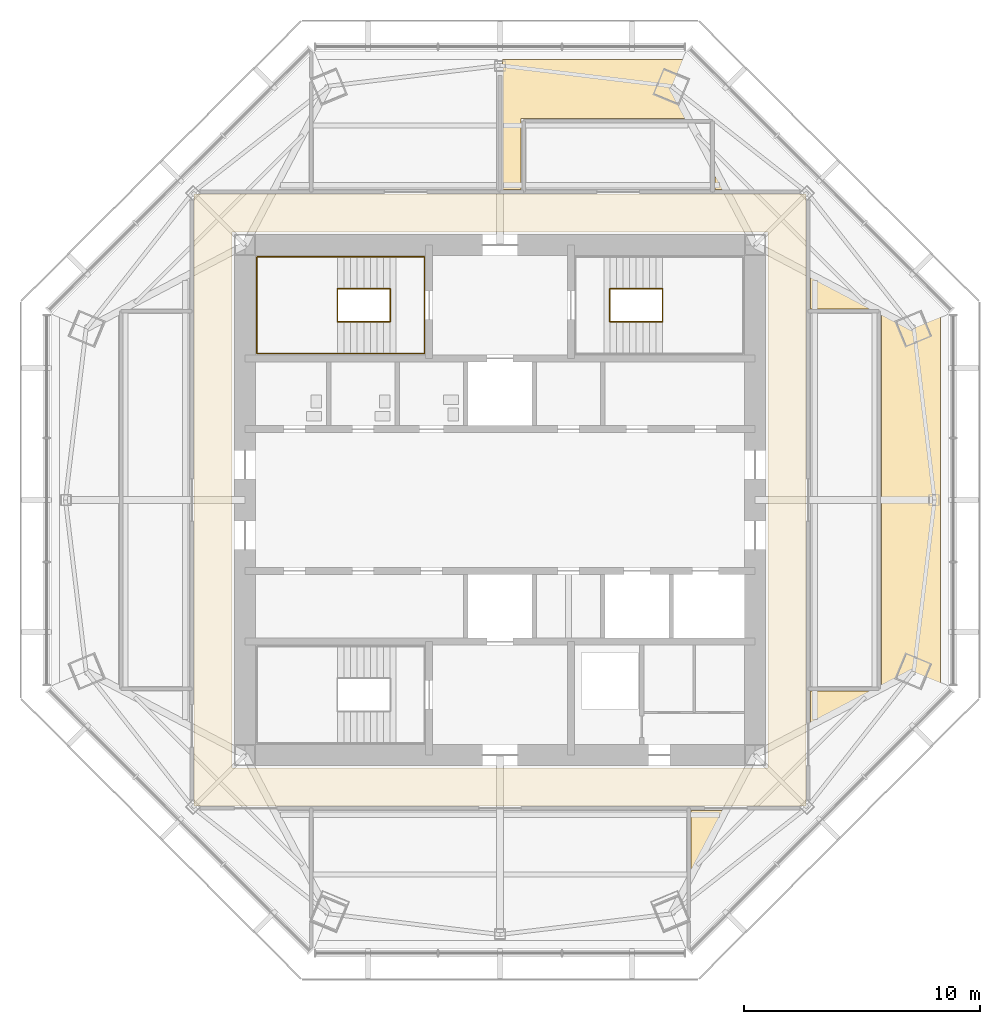
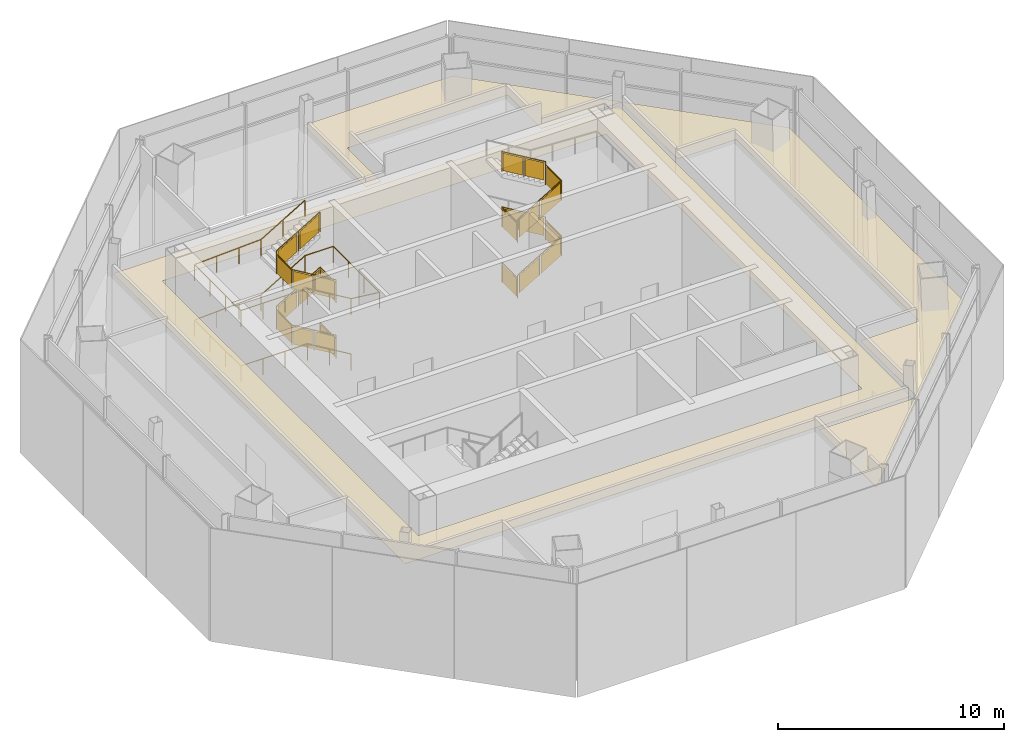
# One storey, part 9 of 11: 3 railings, 2 coverings.
"""IFC4 building model written with IfcOpenShell, lengths in metres."""

from ifc_helpers import new_model, si_unit, direction, frame, origin, origin_2d, place, context, subcontext, project, spatial, polyline, circle, outline, extrude, material, layer, layer_set, type_object, element, save


model = new_model("IFC4")

# Units and contexts
model_context = context("Model", 3, precision=1e-05, world=origin(), true_north=direction((0.0, 1.0)))
body_context = subcontext(model_context, "Body", "Model", "MODEL_VIEW")
ifc_project = project(units=[si_unit("LENGTHUNIT", "METRE"), si_unit("AREAUNIT", "SQUARE_METRE"), si_unit("VOLUMEUNIT", "CUBIC_METRE"), si_unit("PLANEANGLEUNIT", "RADIAN"), si_unit("MASSUNIT", "GRAM", prefix="KILO")], contexts=[model_context])

# Site, building, storey
site_placement = place(None, origin())
site = spatial("IfcSite", under=ifc_project, at=site_placement, CompositionType="ELEMENT")
building_placement = place(site_placement, origin())
building = spatial("IfcBuilding", under=site, at=building_placement, Name="Mashrafa Tower", CompositionType="ELEMENT")
storey_placement = place(building_placement, frame((0.0, 0.0, 311.60009765625)))
storey = spatial("IfcBuildingStorey", under=building, at=storey_placement, Name="L77", CompositionType="ELEMENT", Elevation=311.60009765625)

# Railings
ifc_material_1 = material(Name="Steel guard with glass infill", Category="steel")
railing_type_1 = type_object("IfcRailingType", Name="Stair guard 1100", PredefinedType="GUARDRAIL", material=ifc_material_1)
railing_1_placement = place(storey_placement, frame((-4.64990234375, 8.949951171875, 0.0)))
element("IfcRailing", 1, at=railing_1_placement, inside=storey, type_object=railing_type_1, Name="Stair S1 guard L77", PredefinedType="GUARDRAIL", context=body_context, shape_type="SweptSolid", body=[
    extrude(circle(Radius=0.02392578125, at=origin_2d()), frame((0.0, 0.0, 1.076171875), z_axis=(0.0, -1.0, 0.0), x_axis=(1.0, 0.0, 0.0)), (0.0, 0.0, 1.0), 1.39990234375),
    extrude(circle(Radius=0.02392578125, at=origin_2d()), frame((0.0, -1.39990234375, 1.076171875), z_axis=(0.0, 0.0, 1.0), x_axis=(1.0, 0.0, 0.0)), (0.0, 0.0, 1.0), 0.16650390625),
    extrude(circle(Radius=0.02392578125, at=origin_2d()), frame((0.0, -1.39990234375, 1.24267578125), z_axis=(-0.859264461869, 0.0, 0.511531606619), x_axis=(0.0, -1.0, 0.0)), (0.0, 0.0, 1.0), 2.60693359375),
    extrude(circle(Radius=0.02392578125, at=origin_2d()), frame((-2.239990234375, -1.39990234375, 2.576171875), z_axis=(0.0, 1.0, 0.0), x_axis=(-1.0, 0.0, 0.0)), (0.0, 0.0, 1.0), 1.39990234375),
    extrude(circle(Radius=0.02392578125, at=origin_2d()), frame((-2.239990234375, 0.0, 2.576171875), z_axis=(0.0, 0.0, 1.0), x_axis=(1.0, 0.0, 0.0)), (0.0, 0.0, 1.0), 0.16650390625),
    extrude(circle(Radius=0.02392578125, at=origin_2d()), frame((-2.239990234375, 0.0, 2.74267578125), z_axis=(0.859264461869, 0.0, 0.511531606619), x_axis=(0.0, 1.0, 0.0)), (0.0, 0.0, 1.0), 2.60693359375),
    extrude(circle(Radius=0.02392578125, at=origin_2d()), frame((0.0, 0.0, 4.076171875), z_axis=(0.0, -1.0, 0.0), x_axis=(1.0, 0.0, 0.0)), (0.0, 0.0, 1.0), 1.39990234375),
    extrude(circle(Radius=0.02392578125, at=origin_2d()), frame((0.0, -1.39990234375, 4.076171875), z_axis=(0.0, 0.0, 1.0), x_axis=(1.0, 0.0, 0.0)), (0.0, 0.0, 1.0), 0.16650390625),
    extrude(circle(Radius=0.02392578125, at=origin_2d()), frame((0.0, -1.39990234375, 4.24267578125), z_axis=(-0.859264461869, 0.0, 0.511531606619), x_axis=(0.0, -1.0, 0.0)), (0.0, 0.0, 1.0), 2.60693359375),
    extrude(circle(Radius=0.02392578125, at=origin_2d()), frame((-2.239990234375, -1.39990234375, 5.576171875), z_axis=(0.0, 1.0, 0.0), x_axis=(-1.0, 0.0, 0.0)), (0.0, 0.0, 1.0), 1.39990234375),
    extrude(circle(Radius=0.02392578125, at=origin_2d()), frame((-2.239990234375, 0.0, 5.576171875), z_axis=(0.0, 0.0, 1.0), x_axis=(1.0, 0.0, 0.0)), (0.0, 0.0, 1.0), 0.16650390625),
    extrude(circle(Radius=0.02392578125, at=origin_2d()), frame((-2.239990234375, 0.0, 5.74267578125), z_axis=(0.859264461869, 0.0, 0.511531606619), x_axis=(0.0, 1.0, 0.0)), (0.0, 0.0, 1.0), 2.60693359375),
    extrude(circle(Radius=0.02099609375, at=origin_2d()), origin(), (0.0, 0.0, 1.0), 1.052001953125),
    extrude(circle(Radius=0.02099609375, at=origin_2d()), frame((0.0, -1.39990234375, 0.0)), (0.0, 0.0, 1.0), 1.052001953125),
    extrude(circle(Radius=0.02099609375, at=origin_2d()), frame((0.0, -1.39990234375, 0.16650390625)), (0.0, 0.0, 1.0), 1.052001953125),
    extrude(circle(Radius=0.02099609375, at=origin_2d()), frame((-1.1201171875, -1.39990234375, 0.833251953125)), (0.0, 0.0, 1.0), 1.052001953125),
    extrude(circle(Radius=0.02099609375, at=origin_2d()), frame((-2.239990234375, -1.39990234375, 1.5)), (0.0, 0.0, 1.0), 1.052001953125),
    extrude(circle(Radius=0.02099609375, at=origin_2d()), frame((-2.239990234375, 0.0, 1.5)), (0.0, 0.0, 1.0), 1.052001953125),
    extrude(circle(Radius=0.02099609375, at=origin_2d()), frame((-2.239990234375, 0.0, 1.66650390625)), (0.0, 0.0, 1.0), 1.052001953125),
    extrude(circle(Radius=0.02099609375, at=origin_2d()), frame((-1.1201171875, 0.0, 2.333251953125)), (0.0, 0.0, 1.0), 1.052001953125),
    extrude(circle(Radius=0.02099609375, at=origin_2d()), frame((0.0, 0.0, 3.0)), (0.0, 0.0, 1.0), 1.052001953125),
    extrude(circle(Radius=0.02099609375, at=origin_2d()), frame((0.0, -1.39990234375, 3.0)), (0.0, 0.0, 1.0), 1.052001953125),
    extrude(circle(Radius=0.02099609375, at=origin_2d()), frame((0.0, -1.39990234375, 3.16650390625)), (0.0, 0.0, 1.0), 1.052001953125),
    extrude(circle(Radius=0.02099609375, at=origin_2d()), frame((-1.1201171875, -1.39990234375, 3.833251953125)), (0.0, 0.0, 1.0), 1.052001953125),
    extrude(circle(Radius=0.02099609375, at=origin_2d()), frame((-2.239990234375, -1.39990234375, 4.5)), (0.0, 0.0, 1.0), 1.052001953125),
    extrude(circle(Radius=0.02099609375, at=origin_2d()), frame((-2.239990234375, 0.0, 4.5)), (0.0, 0.0, 1.0), 1.052001953125),
    extrude(circle(Radius=0.02099609375, at=origin_2d()), frame((-2.239990234375, 0.0, 4.66650390625)), (0.0, 0.0, 1.0), 1.052001953125),
    extrude(circle(Radius=0.02099609375, at=origin_2d()), frame((-1.1201171875, 0.0, 5.333251953125)), (0.0, 0.0, 1.0), 1.052001953125),
    extrude(circle(Radius=0.02099609375, at=origin_2d()), frame((0.0, 0.0, 6.0)), (0.0, 0.0, 1.0), 1.052001953125),
    extrude(outline(polyline([(0.071044921875, 0.050048828125), (1.328857421875, 0.050048828125), (1.328857421875, 1.001953125), (0.071044921875, 1.001953125), (0.071044921875, 0.050048828125)])), frame((-0.006103515625, 0.0, 0.0), z_axis=(-1.0, 0.0, 0.0), x_axis=(0.0, -1.0, 0.0)), (0.0, 0.0, 1.0), 0.011962890625),
    extrude(outline(polyline([(0.071044921875, 0.09228515625), (1.049072265625, 0.674560546875), (1.049072265625, 1.62646484375), (0.071044921875, 1.044189453125), (0.071044921875, 0.09228515625)])), frame((0.0, -1.393798828125, 0.16650390625), z_axis=(0.0, 1.0, 0.0), x_axis=(-1.0, 0.0, 0.0)), (0.0, 0.0, 1.0), 0.011962890625),
    extrude(outline(polyline([(1.19091796875, 0.759033203125), (2.1689453125, 1.34130859375), (2.1689453125, 2.293212890625), (1.19091796875, 1.7109375), (1.19091796875, 0.759033203125)])), frame((0.0, -1.393798828125, 0.16650390625), z_axis=(0.0, 1.0, 0.0), x_axis=(-1.0, 0.0, 0.0)), (0.0, 0.0, 1.0), 0.011962890625),
    extrude(outline(polyline([(0.071044921875, 0.050048828125), (1.328857421875, 0.050048828125), (1.328857421875, 1.001953125), (0.071044921875, 1.001953125), (0.071044921875, 0.050048828125)])), frame((-2.23388671875, -1.39990234375, 1.5), z_axis=(1.0, 0.0, 0.0), x_axis=(0.0, 1.0, 0.0)), (0.0, 0.0, 1.0), 0.011962890625),
    extrude(outline(polyline([(0.071044921875, 0.09228515625), (1.049072265625, 0.674560546875), (1.049072265625, 1.62646484375), (0.071044921875, 1.044189453125), (0.071044921875, 0.09228515625)])), frame((-2.239990234375, -0.006103515625, 1.66650390625), z_axis=(0.0, -1.0, 0.0), x_axis=(1.0, 0.0, 0.0)), (0.0, 0.0, 1.0), 0.011962890625),
    extrude(outline(polyline([(1.19091796875, 0.759033203125), (2.1689453125, 1.34130859375), (2.1689453125, 2.293212890625), (1.19091796875, 1.7109375), (1.19091796875, 0.759033203125)])), frame((-2.239990234375, -0.006103515625, 1.66650390625), z_axis=(0.0, -1.0, 0.0), x_axis=(1.0, 0.0, 0.0)), (0.0, 0.0, 1.0), 0.011962890625),
    extrude(outline(polyline([(0.071044921875, 0.050048828125), (1.328857421875, 0.050048828125), (1.328857421875, 1.001953125), (0.071044921875, 1.001953125), (0.071044921875, 0.050048828125)])), frame((-0.006103515625, 0.0, 3.0), z_axis=(-1.0, 0.0, 0.0), x_axis=(0.0, -1.0, 0.0)), (0.0, 0.0, 1.0), 0.011962890625),
    extrude(outline(polyline([(0.071044921875, 0.09228515625), (1.049072265625, 0.674560546875), (1.049072265625, 1.62646484375), (0.071044921875, 1.044189453125), (0.071044921875, 0.09228515625)])), frame((0.0, -1.393798828125, 3.16650390625), z_axis=(0.0, 1.0, 0.0), x_axis=(-1.0, 0.0, 0.0)), (0.0, 0.0, 1.0), 0.011962890625),
    extrude(outline(polyline([(1.19091796875, 0.759033203125), (2.1689453125, 1.34130859375), (2.1689453125, 2.293212890625), (1.19091796875, 1.7109375), (1.19091796875, 0.759033203125)])), frame((0.0, -1.393798828125, 3.16650390625), z_axis=(0.0, 1.0, 0.0), x_axis=(-1.0, 0.0, 0.0)), (0.0, 0.0, 1.0), 0.011962890625),
    extrude(outline(polyline([(0.071044921875, 0.050048828125), (1.328857421875, 0.050048828125), (1.328857421875, 1.001953125), (0.071044921875, 1.001953125), (0.071044921875, 0.050048828125)])), frame((-2.23388671875, -1.39990234375, 4.5), z_axis=(1.0, 0.0, 0.0), x_axis=(0.0, 1.0, 0.0)), (0.0, 0.0, 1.0), 0.011962890625),
    extrude(outline(polyline([(0.071044921875, 0.09228515625), (1.049072265625, 0.674560546875), (1.049072265625, 1.62646484375), (0.071044921875, 1.044189453125), (0.071044921875, 0.09228515625)])), frame((-2.239990234375, -0.006103515625, 4.66650390625), z_axis=(0.0, -1.0, 0.0), x_axis=(1.0, 0.0, 0.0)), (0.0, 0.0, 1.0), 0.011962890625),
    extrude(outline(polyline([(1.19091796875, 0.759033203125), (2.1689453125, 1.34130859375), (2.1689453125, 2.293212890625), (1.19091796875, 1.7109375), (1.19091796875, 0.759033203125)])), frame((-2.239990234375, -0.006103515625, 4.66650390625), z_axis=(0.0, -1.0, 0.0), x_axis=(1.0, 0.0, 0.0)), (0.0, 0.0, 1.0), 0.011962890625),
])
railing_2_placement = place(storey_placement, frame((4.64990234375, 8.949951171875, 0.0)))
element("IfcRailing", 2, at=railing_2_placement, inside=storey, type_object=railing_type_1, Name="Stair S2 guard L77", PredefinedType="GUARDRAIL", context=body_context, shape_type="SweptSolid", body=[
    extrude(circle(Radius=0.02392578125, at=origin_2d()), frame((0.0, 0.0, 1.076171875), z_axis=(0.0, -1.0, 0.0), x_axis=(1.0, 0.0, 0.0)), (0.0, 0.0, 1.0), 1.39990234375),
    extrude(circle(Radius=0.02392578125, at=origin_2d()), frame((0.0, -1.39990234375, 1.076171875), z_axis=(0.0, 0.0, 1.0), x_axis=(1.0, 0.0, 0.0)), (0.0, 0.0, 1.0), 0.16650390625),
    extrude(circle(Radius=0.02392578125, at=origin_2d()), frame((0.0, -1.39990234375, 1.24267578125), z_axis=(0.859264461869, 0.0, 0.511531606619), x_axis=(0.0, 1.0, 0.0)), (0.0, 0.0, 1.0), 2.60693359375),
    extrude(circle(Radius=0.02392578125, at=origin_2d()), frame((2.239990234375, -1.39990234375, 2.576171875), z_axis=(0.0, 1.0, 0.0), x_axis=(-1.0, 0.0, 0.0)), (0.0, 0.0, 1.0), 1.39990234375),
    extrude(circle(Radius=0.02392578125, at=origin_2d()), frame((2.239990234375, 0.0, 2.576171875), z_axis=(0.0, 0.0, 1.0), x_axis=(1.0, 0.0, 0.0)), (0.0, 0.0, 1.0), 0.16650390625),
    extrude(circle(Radius=0.02392578125, at=origin_2d()), frame((2.239990234375, 0.0, 2.74267578125), z_axis=(-0.859264461869, 0.0, 0.511531606619), x_axis=(0.0, -1.0, 0.0)), (0.0, 0.0, 1.0), 2.60693359375),
    extrude(circle(Radius=0.02392578125, at=origin_2d()), frame((0.0, 0.0, 4.076171875), z_axis=(0.0, -1.0, 0.0), x_axis=(1.0, 0.0, 0.0)), (0.0, 0.0, 1.0), 1.39990234375),
    extrude(circle(Radius=0.02392578125, at=origin_2d()), frame((0.0, -1.39990234375, 4.076171875), z_axis=(0.0, 0.0, 1.0), x_axis=(1.0, 0.0, 0.0)), (0.0, 0.0, 1.0), 0.16650390625),
    extrude(circle(Radius=0.02392578125, at=origin_2d()), frame((0.0, -1.39990234375, 4.24267578125), z_axis=(0.859264461869, 0.0, 0.511531606619), x_axis=(0.0, 1.0, 0.0)), (0.0, 0.0, 1.0), 2.60693359375),
    extrude(circle(Radius=0.02392578125, at=origin_2d()), frame((2.239990234375, -1.39990234375, 5.576171875), z_axis=(0.0, 1.0, 0.0), x_axis=(-1.0, 0.0, 0.0)), (0.0, 0.0, 1.0), 1.39990234375),
    extrude(circle(Radius=0.02392578125, at=origin_2d()), frame((2.239990234375, 0.0, 5.576171875), z_axis=(0.0, 0.0, 1.0), x_axis=(1.0, 0.0, 0.0)), (0.0, 0.0, 1.0), 0.16650390625),
    extrude(circle(Radius=0.02392578125, at=origin_2d()), frame((2.239990234375, 0.0, 5.74267578125), z_axis=(-0.859264461869, 0.0, 0.511531606619), x_axis=(0.0, -1.0, 0.0)), (0.0, 0.0, 1.0), 2.60693359375),
    extrude(circle(Radius=0.02099609375, at=origin_2d()), origin(), (0.0, 0.0, 1.0), 1.052001953125),
    extrude(circle(Radius=0.02099609375, at=origin_2d()), frame((0.0, -1.39990234375, 0.0)), (0.0, 0.0, 1.0), 1.052001953125),
    extrude(circle(Radius=0.02099609375, at=origin_2d()), frame((0.0, -1.39990234375, 0.16650390625)), (0.0, 0.0, 1.0), 1.052001953125),
    extrude(circle(Radius=0.02099609375, at=origin_2d()), frame((1.1201171875, -1.39990234375, 0.833251953125)), (0.0, 0.0, 1.0), 1.052001953125),
    extrude(circle(Radius=0.02099609375, at=origin_2d()), frame((2.239990234375, -1.39990234375, 1.5)), (0.0, 0.0, 1.0), 1.052001953125),
    extrude(circle(Radius=0.02099609375, at=origin_2d()), frame((2.239990234375, 0.0, 1.5)), (0.0, 0.0, 1.0), 1.052001953125),
    extrude(circle(Radius=0.02099609375, at=origin_2d()), frame((2.239990234375, 0.0, 1.66650390625)), (0.0, 0.0, 1.0), 1.052001953125),
    extrude(circle(Radius=0.02099609375, at=origin_2d()), frame((1.1201171875, 0.0, 2.333251953125)), (0.0, 0.0, 1.0), 1.052001953125),
    extrude(circle(Radius=0.02099609375, at=origin_2d()), frame((0.0, 0.0, 3.0)), (0.0, 0.0, 1.0), 1.052001953125),
    extrude(circle(Radius=0.02099609375, at=origin_2d()), frame((0.0, -1.39990234375, 3.0)), (0.0, 0.0, 1.0), 1.052001953125),
    extrude(circle(Radius=0.02099609375, at=origin_2d()), frame((0.0, -1.39990234375, 3.16650390625)), (0.0, 0.0, 1.0), 1.052001953125),
    extrude(circle(Radius=0.02099609375, at=origin_2d()), frame((1.1201171875, -1.39990234375, 3.833251953125)), (0.0, 0.0, 1.0), 1.052001953125),
    extrude(circle(Radius=0.02099609375, at=origin_2d()), frame((2.239990234375, -1.39990234375, 4.5)), (0.0, 0.0, 1.0), 1.052001953125),
    extrude(circle(Radius=0.02099609375, at=origin_2d()), frame((2.239990234375, 0.0, 4.5)), (0.0, 0.0, 1.0), 1.052001953125),
    extrude(circle(Radius=0.02099609375, at=origin_2d()), frame((2.239990234375, 0.0, 4.66650390625)), (0.0, 0.0, 1.0), 1.052001953125),
    extrude(circle(Radius=0.02099609375, at=origin_2d()), frame((1.1201171875, 0.0, 5.333251953125)), (0.0, 0.0, 1.0), 1.052001953125),
    extrude(circle(Radius=0.02099609375, at=origin_2d()), frame((0.0, 0.0, 6.0)), (0.0, 0.0, 1.0), 1.052001953125),
    extrude(outline(polyline([(0.071044921875, 0.050048828125), (1.328857421875, 0.050048828125), (1.328857421875, 1.001953125), (0.071044921875, 1.001953125), (0.071044921875, 0.050048828125)])), frame((-0.006103515625, 0.0, 0.0), z_axis=(-1.0, 0.0, 0.0), x_axis=(0.0, -1.0, 0.0)), (0.0, 0.0, 1.0), 0.011962890625),
    extrude(outline(polyline([(0.071044921875, 0.09228515625), (1.049072265625, 0.674560546875), (1.049072265625, 1.62646484375), (0.071044921875, 1.044189453125), (0.071044921875, 0.09228515625)])), frame((0.0, -1.406005859375, 0.16650390625), z_axis=(0.0, -1.0, 0.0), x_axis=(1.0, 0.0, 0.0)), (0.0, 0.0, 1.0), 0.011962890625),
    extrude(outline(polyline([(1.19091796875, 0.759033203125), (2.1689453125, 1.34130859375), (2.1689453125, 2.293212890625), (1.19091796875, 1.7109375), (1.19091796875, 0.759033203125)])), frame((0.0, -1.406005859375, 0.16650390625), z_axis=(0.0, -1.0, 0.0), x_axis=(1.0, 0.0, 0.0)), (0.0, 0.0, 1.0), 0.011962890625),
    extrude(outline(polyline([(0.071044921875, 0.050048828125), (1.328857421875, 0.050048828125), (1.328857421875, 1.001953125), (0.071044921875, 1.001953125), (0.071044921875, 0.050048828125)])), frame((2.24609375, -1.39990234375, 1.5), z_axis=(1.0, 0.0, 0.0), x_axis=(0.0, 1.0, 0.0)), (0.0, 0.0, 1.0), 0.011962890625),
    extrude(outline(polyline([(0.071044921875, 0.09228515625), (1.049072265625, 0.674560546875), (1.049072265625, 1.62646484375), (0.071044921875, 1.044189453125), (0.071044921875, 0.09228515625)])), frame((2.239990234375, 0.006103515625, 1.66650390625), z_axis=(0.0, 1.0, 0.0), x_axis=(-1.0, 0.0, 0.0)), (0.0, 0.0, 1.0), 0.011962890625),
    extrude(outline(polyline([(1.19091796875, 0.759033203125), (2.1689453125, 1.34130859375), (2.1689453125, 2.293212890625), (1.19091796875, 1.7109375), (1.19091796875, 0.759033203125)])), frame((2.239990234375, 0.006103515625, 1.66650390625), z_axis=(0.0, 1.0, 0.0), x_axis=(-1.0, 0.0, 0.0)), (0.0, 0.0, 1.0), 0.011962890625),
    extrude(outline(polyline([(0.071044921875, 0.050048828125), (1.328857421875, 0.050048828125), (1.328857421875, 1.001953125), (0.071044921875, 1.001953125), (0.071044921875, 0.050048828125)])), frame((-0.006103515625, 0.0, 3.0), z_axis=(-1.0, 0.0, 0.0), x_axis=(0.0, -1.0, 0.0)), (0.0, 0.0, 1.0), 0.011962890625),
    extrude(outline(polyline([(0.071044921875, 0.09228515625), (1.049072265625, 0.674560546875), (1.049072265625, 1.62646484375), (0.071044921875, 1.044189453125), (0.071044921875, 0.09228515625)])), frame((0.0, -1.406005859375, 3.16650390625), z_axis=(0.0, -1.0, 0.0), x_axis=(1.0, 0.0, 0.0)), (0.0, 0.0, 1.0), 0.011962890625),
    extrude(outline(polyline([(1.19091796875, 0.759033203125), (2.1689453125, 1.34130859375), (2.1689453125, 2.293212890625), (1.19091796875, 1.7109375), (1.19091796875, 0.759033203125)])), frame((0.0, -1.406005859375, 3.16650390625), z_axis=(0.0, -1.0, 0.0), x_axis=(1.0, 0.0, 0.0)), (0.0, 0.0, 1.0), 0.011962890625),
    extrude(outline(polyline([(0.071044921875, 0.050048828125), (1.328857421875, 0.050048828125), (1.328857421875, 1.001953125), (0.071044921875, 1.001953125), (0.071044921875, 0.050048828125)])), frame((2.24609375, -1.39990234375, 4.5), z_axis=(1.0, 0.0, 0.0), x_axis=(0.0, 1.0, 0.0)), (0.0, 0.0, 1.0), 0.011962890625),
    extrude(outline(polyline([(0.071044921875, 0.09228515625), (1.049072265625, 0.674560546875), (1.049072265625, 1.62646484375), (0.071044921875, 1.044189453125), (0.071044921875, 0.09228515625)])), frame((2.239990234375, 0.006103515625, 4.66650390625), z_axis=(0.0, 1.0, 0.0), x_axis=(-1.0, 0.0, 0.0)), (0.0, 0.0, 1.0), 0.011962890625),
    extrude(outline(polyline([(1.19091796875, 0.759033203125), (2.1689453125, 1.34130859375), (2.1689453125, 2.293212890625), (1.19091796875, 1.7109375), (1.19091796875, 0.759033203125)])), frame((2.239990234375, 0.006103515625, 4.66650390625), z_axis=(0.0, 1.0, 0.0), x_axis=(-1.0, 0.0, 0.0)), (0.0, 0.0, 1.0), 0.011962890625),
])
ifc_material_2 = material(Name="Steel", Category="steel")
railing_type_2 = type_object("IfcRailingType", Name="Stair handrail 900", PredefinedType="HANDRAIL", material=ifc_material_2)
railing_3_placement = place(storey_placement, frame((-4.64990234375, 6.199951171875, 0.16650390625)))
element("IfcRailing", 3, at=railing_3_placement, inside=storey, type_object=railing_type_2, Name="Stair S1 handrail L77", PredefinedType="HANDRAIL", context=body_context, shape_type="SweptSolid", body=[
    extrude(circle(Radius=0.02392578125, at=origin_2d()), frame((0.0, 0.0, 0.8759765625), z_axis=(-0.859264461869, 0.0, 0.511531606619), x_axis=(0.0, -1.0, 0.0)), (0.0, 0.0, 1.0), 2.60693359375),
    extrude(circle(Radius=0.02392578125, at=origin_2d()), frame((-2.239990234375, 0.0, 2.20947265625), z_axis=(-1.0, 0.0, 0.0), x_axis=(0.0, -1.0, 0.0)), (0.0, 0.0, 1.0), 3.41015625),
    extrude(circle(Radius=0.02392578125, at=origin_2d()), frame((-5.650146484375, 0.0, 2.20947265625), z_axis=(0.0, 1.0, 0.0), x_axis=(-1.0, 0.0, 0.0)), (0.0, 0.0, 1.0), 4.10009765625),
    extrude(circle(Radius=0.02392578125, at=origin_2d()), frame((-5.650146484375, 4.10009765625, 2.20947265625), z_axis=(0.998810143355, 0.0, 0.048767791936), x_axis=(0.0, 1.0, 0.0)), (0.0, 0.0, 1.0), 3.414306640625),
    extrude(circle(Radius=0.02392578125, at=origin_2d()), frame((-2.239990234375, 4.10009765625, 2.3759765625), z_axis=(0.859264461869, 0.0, 0.511531606619), x_axis=(0.0, 1.0, 0.0)), (0.0, 0.0, 1.0), 2.60693359375),
    extrude(circle(Radius=0.02392578125, at=origin_2d()), frame((0.0, 4.10009765625, 3.70947265625), z_axis=(1.0, 0.0, 0.0), x_axis=(0.0, 1.0, 0.0)), (0.0, 0.0, 1.0), 1.449951171875),
    extrude(circle(Radius=0.02392578125, at=origin_2d()), frame((1.449951171875, 4.10009765625, 3.70947265625), z_axis=(0.0, -1.0, 0.0), x_axis=(1.0, 0.0, 0.0)), (0.0, 0.0, 1.0), 4.10009765625),
    extrude(circle(Radius=0.02392578125, at=origin_2d()), frame((1.449951171875, 0.0, 3.70947265625), z_axis=(-0.993471061085, 0.0, 0.114084402031), x_axis=(0.0, -1.0, 0.0)), (0.0, 0.0, 1.0), 1.45947265625),
    extrude(circle(Radius=0.02392578125, at=origin_2d()), frame((0.0, 0.0, 3.8759765625), z_axis=(-0.859264461869, 0.0, 0.511531606619), x_axis=(0.0, -1.0, 0.0)), (0.0, 0.0, 1.0), 2.60693359375),
    extrude(circle(Radius=0.02392578125, at=origin_2d()), frame((-2.239990234375, 0.0, 5.20947265625), z_axis=(-1.0, 0.0, 0.0), x_axis=(0.0, -1.0, 0.0)), (0.0, 0.0, 1.0), 3.41015625),
    extrude(circle(Radius=0.02392578125, at=origin_2d()), frame((-5.650146484375, 0.0, 5.20947265625), z_axis=(0.0, 1.0, 0.0), x_axis=(-1.0, 0.0, 0.0)), (0.0, 0.0, 1.0), 4.10009765625),
    extrude(circle(Radius=0.02392578125, at=origin_2d()), frame((-5.650146484375, 4.10009765625, 5.20947265625), z_axis=(0.998810143355, 0.0, 0.048767791936), x_axis=(0.0, 1.0, 0.0)), (0.0, 0.0, 1.0), 3.414306640625),
    extrude(circle(Radius=0.02392578125, at=origin_2d()), frame((-2.239990234375, 4.10009765625, 5.3759765625), z_axis=(0.859264461869, 0.0, 0.511531606619), x_axis=(0.0, 1.0, 0.0)), (0.0, 0.0, 1.0), 2.60693359375),
    extrude(circle(Radius=0.02099609375, at=origin_2d()), origin(), (0.0, 0.0, 1.0), 0.851806640625),
    extrude(circle(Radius=0.02099609375, at=origin_2d()), frame((-1.1201171875, 0.0, 0.666748046875)), (0.0, 0.0, 1.0), 0.851806640625),
    extrude(circle(Radius=0.02099609375, at=origin_2d()), frame((-2.239990234375, 0.0, 1.33349609375)), (0.0, 0.0, 1.0), 0.851806640625),
    extrude(circle(Radius=0.02099609375, at=origin_2d()), frame((-3.376708984375, 0.0, 1.33349609375)), (0.0, 0.0, 1.0), 0.851806640625),
    extrude(circle(Radius=0.02099609375, at=origin_2d()), frame((-4.513427734375, 0.0, 1.33349609375)), (0.0, 0.0, 1.0), 0.851806640625),
    extrude(circle(Radius=0.02099609375, at=origin_2d()), frame((-5.650146484375, 0.0, 1.33349609375)), (0.0, 0.0, 1.0), 0.851806640625),
    extrude(circle(Radius=0.02099609375, at=origin_2d()), frame((-5.650146484375, 1.36669921875, 1.33349609375)), (0.0, 0.0, 1.0), 0.851806640625),
    extrude(circle(Radius=0.02099609375, at=origin_2d()), frame((-5.650146484375, 2.7333984375, 1.33349609375)), (0.0, 0.0, 1.0), 0.851806640625),
    extrude(circle(Radius=0.02099609375, at=origin_2d()), frame((-5.650146484375, 4.10009765625, 1.33349609375)), (0.0, 0.0, 1.0), 0.851806640625),
    extrude(circle(Radius=0.02099609375, at=origin_2d()), frame((-4.513427734375, 4.10009765625, 1.388916015625)), (0.0, 0.0, 1.0), 0.851806640625),
    extrude(circle(Radius=0.02099609375, at=origin_2d()), frame((-3.376708984375, 4.10009765625, 1.444580078125)), (0.0, 0.0, 1.0), 0.851806640625),
    extrude(circle(Radius=0.02099609375, at=origin_2d()), frame((-2.239990234375, 4.10009765625, 1.5)), (0.0, 0.0, 1.0), 0.851806640625),
    extrude(circle(Radius=0.02099609375, at=origin_2d()), frame((-1.1201171875, 4.10009765625, 2.166748046875)), (0.0, 0.0, 1.0), 0.851806640625),
    extrude(circle(Radius=0.02099609375, at=origin_2d()), frame((0.0, 4.10009765625, 2.83349609375)), (0.0, 0.0, 1.0), 0.851806640625),
    extrude(circle(Radius=0.02099609375, at=origin_2d()), frame((1.449951171875, 4.10009765625, 2.83349609375)), (0.0, 0.0, 1.0), 0.851806640625),
    extrude(circle(Radius=0.02099609375, at=origin_2d()), frame((1.449951171875, 2.7333984375, 2.83349609375)), (0.0, 0.0, 1.0), 0.851806640625),
    extrude(circle(Radius=0.02099609375, at=origin_2d()), frame((1.449951171875, 1.36669921875, 2.83349609375)), (0.0, 0.0, 1.0), 0.851806640625),
    extrude(circle(Radius=0.02099609375, at=origin_2d()), frame((1.449951171875, 0.0, 2.83349609375)), (0.0, 0.0, 1.0), 0.851806640625),
    extrude(circle(Radius=0.02099609375, at=origin_2d()), frame((0.0, 0.0, 3.0)), (0.0, 0.0, 1.0), 0.851806640625),
    extrude(circle(Radius=0.02099609375, at=origin_2d()), frame((-1.1201171875, 0.0, 3.666748046875)), (0.0, 0.0, 1.0), 0.851806640625),
    extrude(circle(Radius=0.02099609375, at=origin_2d()), frame((-2.239990234375, 0.0, 4.33349609375)), (0.0, 0.0, 1.0), 0.851806640625),
    extrude(circle(Radius=0.02099609375, at=origin_2d()), frame((-3.376708984375, 0.0, 4.33349609375)), (0.0, 0.0, 1.0), 0.851806640625),
    extrude(circle(Radius=0.02099609375, at=origin_2d()), frame((-4.513427734375, 0.0, 4.33349609375)), (0.0, 0.0, 1.0), 0.851806640625),
    extrude(circle(Radius=0.02099609375, at=origin_2d()), frame((-5.650146484375, 0.0, 4.33349609375)), (0.0, 0.0, 1.0), 0.851806640625),
    extrude(circle(Radius=0.02099609375, at=origin_2d()), frame((-5.650146484375, 1.36669921875, 4.33349609375)), (0.0, 0.0, 1.0), 0.851806640625),
    extrude(circle(Radius=0.02099609375, at=origin_2d()), frame((-5.650146484375, 2.7333984375, 4.33349609375)), (0.0, 0.0, 1.0), 0.851806640625),
    extrude(circle(Radius=0.02099609375, at=origin_2d()), frame((-5.650146484375, 4.10009765625, 4.33349609375)), (0.0, 0.0, 1.0), 0.851806640625),
    extrude(circle(Radius=0.02099609375, at=origin_2d()), frame((-4.513427734375, 4.10009765625, 4.388916015625)), (0.0, 0.0, 1.0), 0.851806640625),
    extrude(circle(Radius=0.02099609375, at=origin_2d()), frame((-3.376708984375, 4.10009765625, 4.444580078125)), (0.0, 0.0, 1.0), 0.851806640625),
    extrude(circle(Radius=0.02099609375, at=origin_2d()), frame((-2.239990234375, 4.10009765625, 4.5)), (0.0, 0.0, 1.0), 0.851806640625),
    extrude(circle(Radius=0.02099609375, at=origin_2d()), frame((-1.1201171875, 4.10009765625, 5.166748046875)), (0.0, 0.0, 1.0), 0.851806640625),
    extrude(circle(Radius=0.02099609375, at=origin_2d()), frame((0.0, 4.10009765625, 5.83349609375)), (0.0, 0.0, 1.0), 0.851806640625),
])

# Coverings
ifc_material_3 = material(Name="Gypsum board on suspension grid")
ifc_layer = layer(ifc_material_3, 0.012451171875)
ifc_layer_set = layer_set([ifc_layer], Name="Suspended ceiling gypsum 12.5")
covering_type = type_object("IfcCoveringType", Name="Suspended ceiling gypsum 12.5", PredefinedType="CEILING", material=ifc_layer_set)
covering_1_placement = place(storey_placement, frame((0.0, 0.0, 4.199951171875)))
element("IfcCovering", 4, at=covering_1_placement, inside=storey, type_object=covering_type, Name="Ceiling Observation Concourse L77", PredefinedType="CEILING", context=body_context, shape_type="SweptSolid", body=[
    extrude(outline(polyline([(-12.949951171875, -12.949951171875), (-12.949951171875, 12.949951171875), (12.949951171875, 12.949951171875), (12.949951171875, -12.949951171875), (-12.949951171875, -12.949951171875)]), holes=[polyline([(11.35009765625, 11.35009765625), (-11.35009765625, 11.35009765625), (-11.35009765625, -11.35009765625), (11.35009765625, -11.35009765625), (11.35009765625, 11.35009765625)])]), origin(), (0.0, 0.0, 1.0), 0.012451171875),
])
covering_2_placement = place(storey_placement, frame((0.0, 0.0, 4.199951171875)))
element("IfcCovering", 5, at=covering_2_placement, inside=storey, type_object=covering_type, Name="Ceiling Observation Deck East L77", PredefinedType="CEILING", context=body_context, shape_type="SweptSolid", body=[
    extrude(outline(polyline([(0.10009765625, 18.64990234375), (7.72509765625, 18.64990234375), (18.64990234375, 7.72509765625), (18.64990234375, -7.72509765625), (8.10009765625, -18.275146484375), (8.10009765625, -13.14990234375), (13.14990234375, -13.14990234375), (13.14990234375, -8.10009765625), (16.14990234375, -8.10009765625), (16.14990234375, 8.10009765625), (13.14990234375, 8.10009765625), (13.14990234375, 13.14990234375), (9.10009765625, 13.14990234375), (9.10009765625, 16.14990234375), (0.89990234375, 16.14990234375), (0.89990234375, 13.14990234375), (0.10009765625, 13.14990234375), (0.10009765625, 18.64990234375)])), origin(), (0.0, 0.0, 1.0), 0.012451171875),
])

save(model, "model.ifc")
